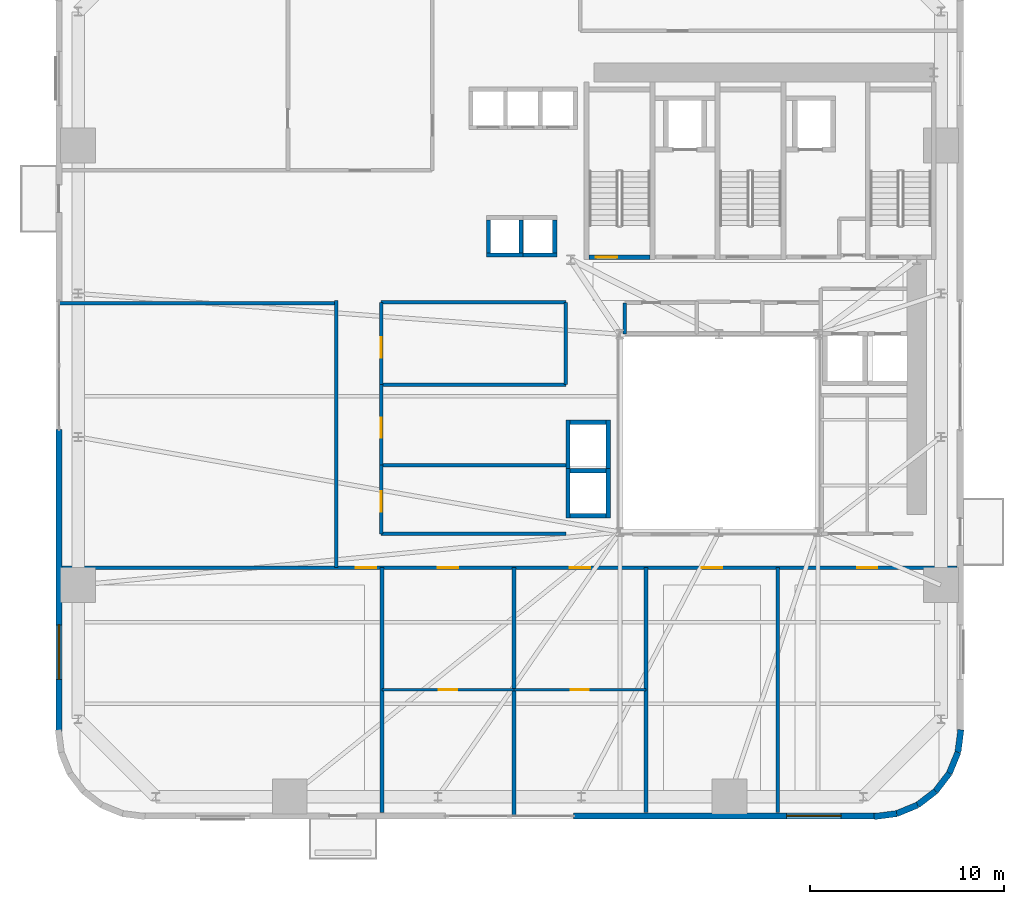
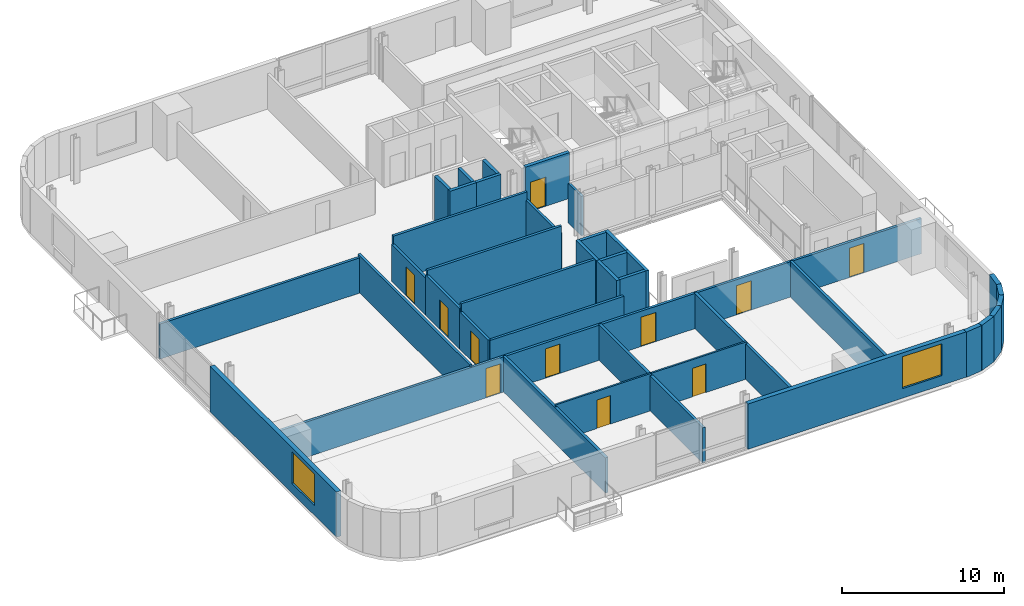
# One storey, part 6 of 11: 39 walls, 11 doors, 2 windows, 13 openings.
"""IFC4 building model written with IfcOpenShell, lengths in metres."""

import ifcopenshell
import ifcopenshell.guid

model = None  # the IFC model being written
_history = None  # IfcOwnerHistory: only IFC2X3 demands one
_inside = {}  # id of a spatial element -> (the spatial element, [elements in it])
_under = {}  # id of a project, library or spatial element -> (it, [spatial elements below it])
_declared = {}  # id of a project -> (the project, [libraries it declares])
_typed = {}  # id of a type object -> (the type object, [elements of that type])
_made_of = {}  # id of a material, layer set ... -> (it, [elements and type objects made of it])


def new_model(schema):
    """Start an empty IFC model of exactly this schema.

    Asked for "IFC4X3", IfcOpenShell would pick the latest addendum, in which some entities
    have other attributes; the version numbers below select the first issue.
    IFC2X3 requires an IfcOwnerHistory on every rooted entity: one is made here for all.
    """
    global model, _history
    if schema == "IFC4X3":
        model = ifcopenshell.file(schema_version=(4, 3, 0, 0))
    else:
        model = ifcopenshell.file(schema=schema)
    _inside.clear()
    _under.clear()
    _declared.clear()
    _typed.clear()
    _made_of.clear()
    _history = None
    if model.schema == "IFC2X3":
        org = make("IfcOrganization", Name="unknown")
        user = make(
            "IfcPersonAndOrganization",
            ThePerson=make("IfcPerson", FamilyName="unknown"),
            TheOrganization=org,
        )
        app = make(
            "IfcApplication",
            ApplicationDeveloper=org,
            Version="unknown",
            ApplicationFullName="unknown",
            ApplicationIdentifier="unknown",
        )
        _history = make(
            "IfcOwnerHistory",
            OwningUser=user,
            OwningApplication=app,
            ChangeAction="ADDED",
            CreationDate=0,
        )
    return model


def make(cls, **values):
    """One entity of the class cls with the attributes given. An attribute that is None is left unset."""
    return model.create_entity(
        cls, **{name: value for name, value in values.items() if value is not None}
    )


def rooted(cls, **values):
    """An entity with a GlobalId (a new one), such as an element, a storey or a relation."""
    return make(cls, GlobalId=ifcopenshell.guid.new(), OwnerHistory=_history, **values)


def si_unit(unit_type, name, prefix=None):
    """IfcSIUnit, for example si_unit("LENGTHUNIT", "METRE", prefix="MILLI")."""
    return make("IfcSIUnit", UnitType=unit_type, Prefix=prefix, Name=name)


def assignment(units):
    """IfcUnitAssignment: the units of a project."""
    return None if units is None else make("IfcUnitAssignment", Units=units)


def point(xyz):
    """IfcCartesianPoint."""
    return None if xyz is None else make("IfcCartesianPoint", Coordinates=xyz)


def direction(xyz):
    """IfcDirection."""
    return None if xyz is None else make("IfcDirection", DirectionRatios=xyz)


def frame(location, z_axis=None, x_axis=None):
    """IfcAxis2Placement3D, a coordinate frame: its origin and axes. An axis left out is left unset."""
    return make(
        "IfcAxis2Placement3D",
        Location=point(location),
        Axis=direction(z_axis),
        RefDirection=direction(x_axis),
    )


def frame_2d(location, x_axis=None):
    """IfcAxis2Placement2D, a coordinate frame in the plane: its origin and x axis."""
    return make(
        "IfcAxis2Placement2D", Location=point(location), RefDirection=direction(x_axis)
    )


def origin():
    """The frame at (0, 0, 0) with its axes left unset."""
    return frame((0.0, 0.0, 0.0))


def place(relative_to, where):
    """IfcLocalPlacement: puts the frame where relative to a parent placement (None: the world)."""
    return make(
        "IfcLocalPlacement", PlacementRelTo=relative_to, RelativePlacement=where
    )


def context(
    kind, dimensions, precision=None, world=None, true_north=None, identifier=None
):
    """IfcGeometricRepresentationContext, for example the 3D "Model" context."""
    return make(
        "IfcGeometricRepresentationContext",
        ContextIdentifier=identifier,
        ContextType=kind,
        CoordinateSpaceDimension=dimensions,
        Precision=precision,
        WorldCoordinateSystem=world,
        TrueNorth=true_north,
    )


def subcontext(parent, identifier, kind, view, scale=None):
    """IfcGeometricRepresentationSubContext, for example "Body" below "Model"."""
    return make(
        "IfcGeometricRepresentationSubContext",
        ContextIdentifier=identifier,
        ContextType=kind,
        ParentContext=parent,
        TargetScale=scale,
        TargetView=view,
    )


def project(units=None, contexts=None):
    """IfcProject with its units and contexts."""
    return rooted(
        "IfcProject",
        Name="project",
        RepresentationContexts=contexts,
        UnitsInContext=assignment(units),
    )


def spatial(cls, under=None, at=None, **own):
    """A site, building, storey or space (cls), placed at a placement, below another one or the project."""
    s = rooted(cls, ObjectPlacement=at, **own)
    if under is not None:
        _under.setdefault(under.id(), (under, []))[1].append(s)
    return s


def profile(cls, at=None, kind="AREA", **sizes):
    """A parametric profile (cls). Its sizes go by their IFC names, for example OverallWidth=200.0."""
    return make(cls, ProfileType=kind, Position=at, **sizes)


def rectangle(**sizes):
    """IfcRectangleProfileDef."""
    return profile("IfcRectangleProfileDef", **sizes)


def extrude(swept, where, along, depth):
    """IfcExtrudedAreaSolid: the profile swept, set in the frame where, extruded along a direction by depth."""
    return make(
        "IfcExtrudedAreaSolid",
        SweptArea=swept,
        Position=where,
        ExtrudedDirection=direction(along),
        Depth=depth,
    )


def shape(context_of_items, identifier, shape_type, items):
    """IfcShapeRepresentation: the items that make up one representation, for example the "Body"."""
    return make(
        "IfcShapeRepresentation",
        ContextOfItems=context_of_items,
        RepresentationIdentifier=identifier,
        RepresentationType=shape_type,
        Items=items,
    )


def source(mapping_origin, context_of_items, identifier, shape_type, items):
    """IfcRepresentationMap: a shape defined once, which mapped items show again and again."""
    return make(
        "IfcRepresentationMap",
        MappingOrigin=mapping_origin,
        MappedRepresentation=shape(context_of_items, identifier, shape_type, items),
    )


def transform(
    local_origin,
    x_axis=None,
    y_axis=None,
    z_axis=None,
    scale=None,
    scale2=None,
    scale3=None,
    uniform=True,
):
    """IfcCartesianTransformationOperator3D, or its non-uniform kind. x_axis, y_axis, z_axis: its Axis1, 2, 3."""
    if uniform:
        return make(
            "IfcCartesianTransformationOperator3D",
            Axis1=direction(x_axis),
            Axis2=direction(y_axis),
            LocalOrigin=point(local_origin),
            Scale=scale,
            Axis3=direction(z_axis),
        )
    return make(
        "IfcCartesianTransformationOperator3DnonUniform",
        Axis1=direction(x_axis),
        Axis2=direction(y_axis),
        LocalOrigin=point(local_origin),
        Scale=scale,
        Axis3=direction(z_axis),
        Scale2=scale2,
        Scale3=scale3,
    )


def mapped(mapping_source, mapping_target):
    """IfcMappedItem: shows the shape of a source again, moved by a transform."""
    return make(
        "IfcMappedItem", MappingSource=mapping_source, MappingTarget=mapping_target
    )


def material(Name=None, Category=None):
    """IfcMaterial."""
    return make("IfcMaterial", Name=Name, Category=Category)


def layer(
    of_material, thickness, ventilated=None, Name=None, Category=None, Priority=None
):
    """IfcMaterialLayer: one layer of a wall or slab, of a material (None: an air gap)."""
    return make(
        "IfcMaterialLayer",
        Material=of_material,
        LayerThickness=thickness,
        IsVentilated=ventilated,
        Name=Name,
        Category=Category,
        Priority=Priority,
    )


def layer_set(layers, Name=None):
    """IfcMaterialLayerSet."""
    return make("IfcMaterialLayerSet", MaterialLayers=layers, LayerSetName=Name)


def made_of(thing, what):
    """Note that an element or type object is made of a material, layer set ...; save() writes the relation."""
    if what is not None:
        _made_of.setdefault(what.id(), (what, []))[1].append(thing)
    return thing


def type_object(cls, material=None, **own):
    """A type object (cls), such as IfcWallType, which elements share."""
    return made_of(rooted(cls, **own), material)


def element(
    cls,
    number,
    at=None,
    inside=None,
    cuts=None,
    type_object=None,
    material=None,
    context=None,
    identifier="Body",
    shape_type=None,
    held_by="IfcProductDefinitionShape",
    body=None,
    shapes=None,
    **own,
):
    """One element of the class cls, such as IfcWall. Its Tag is "e" and its number.

    at: its placement. inside: the storey or other place that contains it. cuts: it is an
    opening in that element (IfcRelVoidsElement). A single representation is given by context,
    identifier, shape_type and body (its items); several are given by shapes. held_by: the class
    of the entity that holds the representations. save() writes the other relations.
    """
    e = rooted(cls, Tag="e%d" % number, ObjectPlacement=at, **own)
    if body is not None:
        shapes = [shape(context, identifier, shape_type, body)]
    if shapes is not None:
        e.Representation = make(held_by, Representations=shapes)
    if inside is not None:
        _inside.setdefault(inside.id(), (inside, []))[1].append(e)
    if cuts is not None:
        rooted(
            "IfcRelVoidsElement", RelatingBuildingElement=cuts, RelatedOpeningElement=e
        )
    if type_object is not None:
        _typed.setdefault(type_object.id(), (type_object, []))[1].append(e)
    return made_of(e, material)


def fill(opening, filler):
    """IfcRelFillsElement: the door or window that sits in an opening."""
    return rooted(
        "IfcRelFillsElement",
        RelatingOpeningElement=opening,
        RelatedBuildingElement=filler,
    )


def aggregate(whole, parts):
    """IfcRelAggregates: a whole, such as a stair, and the parts it consists of."""
    return rooted("IfcRelAggregates", RelatingObject=whole, RelatedObjects=parts)


def save(model, path):
    """Write the relations noted so far, then the file.

    IfcRelAggregates (storeys below a building ...), IfcRelContainedInSpatialStructure (elements
    in a storey), IfcRelDefinesByType, IfcRelAssociatesMaterial and IfcRelDeclares: one each for
    every whole, place, type object, material and project.
    """
    for whole, parts in _under.values():
        aggregate(whole, parts)
    for where, things in _inside.values():
        rooted(
            "IfcRelContainedInSpatialStructure",
            RelatedElements=things,
            RelatingStructure=where,
        )
    for kind, things in _typed.values():
        rooted("IfcRelDefinesByType", RelatedObjects=things, RelatingType=kind)
    for what, things in _made_of.values():
        rooted("IfcRelAssociatesMaterial", RelatedObjects=things, RelatingMaterial=what)
    for by, libraries in _declared.values():
        rooted("IfcRelDeclares", RelatingContext=by, RelatedDefinitions=libraries)
    model.write(path)


model = new_model("IFC4")

# Units and contexts
model_context = context("Model", 3, precision=1e-05, world=origin(), true_north=direction((0.0, 1.0)))
body_context = subcontext(model_context, "Body", "Model", "MODEL_VIEW")
ifc_project = project(units=[si_unit("LENGTHUNIT", "METRE"), si_unit("AREAUNIT", "SQUARE_METRE"), si_unit("VOLUMEUNIT", "CUBIC_METRE"), si_unit("PLANEANGLEUNIT", "RADIAN"), si_unit("MASSUNIT", "GRAM", prefix="KILO")], contexts=[model_context])

# Site, building, storey
site_placement = place(None, origin())
site = spatial("IfcSite", under=ifc_project, at=site_placement, CompositionType="ELEMENT")
building_placement = place(site_placement, origin())
building = spatial("IfcBuilding", under=site, at=building_placement, Name="Vardaveli Station Tower", CompositionType="ELEMENT")
storey_placement = place(building_placement, frame((0.0, 0.0, 78.699951171875)))
storey = spatial("IfcBuildingStorey", under=building, at=storey_placement, Name="L20", CompositionType="ELEMENT", Elevation=78.699951171875)

# Wall, opening, window
ifc_material_1 = material(Name="Precast concrete C45/55", Category="concrete")
ifc_layer_1 = layer(ifc_material_1, 0.320068359375, Name="Precast concrete C45/55")
ifc_layer_set_1 = layer_set([ifc_layer_1], Name="Precast concrete C45/55")
wall_type_1 = type_object("IfcWallType", Name="WAL-EXT-STONE-320", PredefinedType="SOLIDWALL", material=ifc_layer_set_1)
shared_shape_1 = source(origin(), body_context, "Body", "SweptSolid", [
    extrude(rectangle(XDim=15.599853515625, YDim=0.320068359375, at=frame_2d((7.7998046875, 0.0))), origin(), (0.0, 0.0, 1.0), 3.41015625),
])
wall_1_placement = place(storey_placement, frame((28.800048828125, 1.9599609375, 0.0), z_axis=(0.0, 0.0, 1.0), x_axis=(1.0, 0.0, 0.0)))
wall_1 = element("IfcWall", 1, at=wall_1_placement, inside=storey, type_object=wall_type_1, Name="EW-L20-S2", PredefinedType="SOLIDWALL", context=body_context, shape_type="MappedRepresentation", body=[
    mapped(shared_shape_1, transform((0.0, 0.0, 0.0), scale=1.0)),
])
shared_shape_2 = source(origin(), body_context, "Body", "SweptSolid", [
    extrude(rectangle(XDim=2.800048828125, YDim=2.39990234375, at=frame_2d((1.39990234375, 1.199951171875))), frame((0.0, 0.169921875, 0.0), z_axis=(0.0, -1.0, 0.0), x_axis=(1.0, 0.0, 0.0)), (0.0, 0.0, 1.0), 0.340087890625),
])
opening_1_placement = place(wall_1_placement, frame((10.9951171875, 0.0, 0.719970703125)))
opening_1 = element("IfcOpeningElement", 2, at=opening_1_placement, cuts=wall_1, Name="Opening W-04", PredefinedType="OPENING", context=body_context, shape_type="MappedRepresentation", body=[
    mapped(shared_shape_2, transform((0.0, 0.0, 0.0), scale=1.0)),
])
ifc_material_2 = material(Name="Low-E solar-control glass", Category="glass")
window_type = type_object("IfcWindowType", Name="WIN-SUITE-2800x2400", PartitioningType="SINGLE_PANEL", PredefinedType="WINDOW", material=ifc_material_2)
shared_shape_3 = source(origin(), body_context, "Body", "SweptSolid", [
    extrude(rectangle(XDim=2.800048828125, YDim=2.39990234375, at=frame_2d((1.39990234375, 1.199951171875))), frame((0.0, 0.030029296875, 0.0), z_axis=(0.0, -1.0, 0.0), x_axis=(1.0, 0.0, 0.0)), (0.0, 0.0, 1.0), 0.06005859375),
])
window_1_placement = place(opening_1_placement, origin())
window_1 = element("IfcWindow", 3, at=window_1_placement, inside=storey, type_object=window_type, Name="WN-L20-S2", OverallHeight=2.39990234375, OverallWidth=2.800048828125, PartitioningType="SINGLE_PANEL", PredefinedType="WINDOW", context=body_context, shape_type="MappedRepresentation", body=[
    mapped(shared_shape_3, transform((0.0, 0.0, 0.0), scale=1.0)),
])
fill(opening_1, window_1)

wall_2_placement = place(storey_placement, frame((2.260009765625, 21.89990234375, 0.0), z_axis=(0.0, 0.0, 1.0), x_axis=(0.0, -1.0, 0.0)))
wall_2 = element("IfcWall", 4, at=wall_2_placement, inside=storey, type_object=wall_type_1, Name="EW-L20-W2", PredefinedType="SOLIDWALL", context=body_context, shape_type="MappedRepresentation", body=[
    mapped(shared_shape_1, transform((0.0, 0.0, 0.0), scale=1.0)),
])
opening_2_placement = place(wall_2_placement, frame((10.094970703125, 0.0, 0.719970703125)))
opening_2 = element("IfcOpeningElement", 5, at=opening_2_placement, cuts=wall_2, Name="Opening W-04", PredefinedType="OPENING", context=body_context, shape_type="MappedRepresentation", body=[
    mapped(shared_shape_2, transform((0.0, 0.0, 0.0), scale=1.0)),
])
window_2_placement = place(opening_2_placement, origin())
window_2 = element("IfcWindow", 6, at=window_2_placement, inside=storey, type_object=window_type, Name="WN-L20-W2", OverallHeight=2.39990234375, OverallWidth=2.800048828125, PartitioningType="SINGLE_PANEL", PredefinedType="WINDOW", context=body_context, shape_type="MappedRepresentation", body=[
    mapped(shared_shape_3, transform((0.0, 0.0, 0.0), scale=1.0)),
])
fill(opening_2, window_2)

# Walls
shared_shape_4 = source(origin(), body_context, "Body", "SweptSolid", [
    extrude(rectangle(XDim=1.170654296875, YDim=0.320068359375, at=frame_2d((0.58544921875, 0.0))), origin(), (0.0, 0.0, 1.0), 3.41015625),
])
wall_3_placement = place(storey_placement, frame((48.62548828125, 5.23974609375, 0.0), z_axis=(0.0, 0.0, 1.0), x_axis=(0.128269133229, 0.991739395941, 0.0)))
element("IfcWall", 7, at=wall_3_placement, inside=storey, type_object=wall_type_1, Name="EW-L20-CR2-6", PredefinedType="SOLIDWALL", context=body_context, shape_type="MappedRepresentation", body=[
    mapped(shared_shape_4, transform((0.0, 0.0, 0.0), scale=1.0)),
])
shared_shape_5 = source(origin(), body_context, "Body", "SweptSolid", [
    extrude(rectangle(XDim=1.1689453125, YDim=0.320068359375, at=frame_2d((0.58447265625, 0.0))), origin(), (0.0, 0.0, 1.0), 3.41015625),
])
for number, where, z_axis, x_axis, name in (
    (8, (47.46875, 3.231201171875, 0.0), (0.0, 0.0, 1.0), (0.608387696831, 0.793639975269, 0.0), "EW-L20-CR2-4"),
    (9, (48.179931640625, 4.158935546875, 0.0), (0.0, 0.0, 1.0), (0.381127904695, 0.924522320046, 0.0), "EW-L20-CR2-5"),
):
    element("IfcWall", number, at=place(storey_placement, frame(where, z_axis=z_axis, x_axis=x_axis)), inside=storey, type_object=wall_type_1, Name=name, PredefinedType="SOLIDWALL", context=body_context, shape_type="MappedRepresentation", body=[
        mapped(shared_shape_5, transform((0.0, 0.0, 0.0), scale=1.0)),
    ])
shared_shape_6 = source(origin(), body_context, "Body", "SweptSolid", [
    extrude(rectangle(XDim=1.168701171875, YDim=0.320068359375, at=frame_2d((0.58447265625, 0.0))), origin(), (0.0, 0.0, 1.0), 3.41015625),
])
wall_4_placement = place(storey_placement, frame((46.541259765625, 2.520263671875, 0.0), z_axis=(0.0, 0.0, 1.0), x_axis=(0.793663520347, 0.608356981114, 0.0)))
element("IfcWall", 10, at=wall_4_placement, inside=storey, type_object=wall_type_1, Name="EW-L20-CR2-3", PredefinedType="SOLIDWALL", context=body_context, shape_type="MappedRepresentation", body=[
    mapped(shared_shape_6, transform((0.0, 0.0, 0.0), scale=1.0)),
])
shared_shape_7 = source(origin(), body_context, "Body", "SweptSolid", [
    extrude(rectangle(XDim=1.16943359375, YDim=0.320068359375, at=frame_2d((0.584716796875, 0.0))), origin(), (0.0, 0.0, 1.0), 3.41015625),
])
wall_5_placement = place(storey_placement, frame((45.460205078125, 2.074462890625, 0.0), z_axis=(0.0, 0.0, 1.0), x_axis=(0.924479075121, 0.381232789334, 0.0)))
element("IfcWall", 11, at=wall_5_placement, inside=storey, type_object=wall_type_1, Name="EW-L20-CR2-2", PredefinedType="SOLIDWALL", context=body_context, shape_type="MappedRepresentation", body=[
    mapped(shared_shape_7, transform((0.0, 0.0, 0.0), scale=1.0)),
])
shared_shape_8 = source(origin(), body_context, "Body", "SweptSolid", [
    extrude(rectangle(XDim=1.170166015625, YDim=0.320068359375, at=frame_2d((0.5849609375, 0.0))), origin(), (0.0, 0.0, 1.0), 3.41015625),
])
wall_6_placement = place(storey_placement, frame((44.299560546875, 1.924560546875, 0.0), z_axis=(0.0, 0.0, 1.0), x_axis=(0.991762485493, 0.128090485085, 0.0)))
element("IfcWall", 12, at=wall_6_placement, inside=storey, type_object=wall_type_1, Name="EW-L20-CR2-1", PredefinedType="SOLIDWALL", context=body_context, shape_type="MappedRepresentation", body=[
    mapped(shared_shape_8, transform((0.0, 0.0, 0.0), scale=1.0)),
])

# Wall, opening, door
ifc_material_3 = material(Name="Concrete C40/50", Category="concrete")
ifc_layer_2 = layer(ifc_material_3, 0.25, Name="Concrete C40/50")
ifc_layer_set_2 = layer_set([ifc_layer_2], Name="Concrete C40/50")
wall_type_2 = type_object("IfcWallType", Name="WAL-SHAFT-250", PredefinedType="SOLIDWALL", material=ifc_layer_set_2)
shared_shape_9 = source(origin(), body_context, "Body", "SweptSolid", [
    extrude(rectangle(XDim=3.14990234375, YDim=0.25, at=frame_2d((1.574951171875, 0.0))), origin(), (0.0, 0.0, 1.0), 3.449951171875),
])
wall_7_placement = place(storey_placement, frame((29.60009765625, 30.77490234375, 0.0), z_axis=(0.0, 0.0, 1.0), x_axis=(1.0, 0.0, 0.0)))
wall_7 = element("IfcWall", 13, at=wall_7_placement, inside=storey, type_object=wall_type_2, Name="W-L20-ST-1S", PredefinedType="SOLIDWALL", context=body_context, shape_type="MappedRepresentation", body=[
    mapped(shared_shape_9, transform((0.0, 0.0, 0.0), scale=1.0)),
])
shared_shape_10 = source(origin(), body_context, "Body", "SweptSolid", [
    extrude(rectangle(XDim=1.10009765625, YDim=2.199951171875, at=frame_2d((0.550048828125, 1.10009765625))), frame((0.0, 0.135009765625, 0.0), z_axis=(0.0, -1.0, 0.0), x_axis=(1.0, 0.0, 0.0)), (0.0, 0.0, 1.0), 0.27001953125),
])
opening_3_placement = place(wall_7_placement, frame((0.35009765625, 0.0, 0.0)))
opening_3 = element("IfcOpeningElement", 14, at=opening_3_placement, cuts=wall_7, Name="Opening D-04", PredefinedType="OPENING", context=body_context, shape_type="MappedRepresentation", body=[
    mapped(shared_shape_10, transform((0.0, 0.0, 0.0), scale=1.0)),
])
ifc_material_4 = material(Name="Steel smokeproof fire doorset", Category="steel")
door_type_1 = type_object("IfcDoorType", Name="DR-ST-1100x2200", OperationType="NOTDEFINED", PredefinedType="DOOR", material=ifc_material_4)
shared_shape_11 = source(origin(), body_context, "Body", "SweptSolid", [
    extrude(rectangle(XDim=1.10009765625, YDim=2.199951171875, at=frame_2d((0.550048828125, 1.10009765625))), frame((0.0, 0.02490234375, 0.0), z_axis=(0.0, -1.0, 0.0), x_axis=(1.0, 0.0, 0.0)), (0.0, 0.0, 1.0), 0.050048828125),
])
door_1_placement = place(opening_3_placement, origin())
door_1 = element("IfcDoor", 15, at=door_1_placement, inside=storey, type_object=door_type_1, Name="DST-1-L20", OperationType="SINGLE_SWING_LEFT", OverallHeight=2.199951171875, OverallWidth=1.10009765625, PredefinedType="DOOR", context=body_context, shape_type="MappedRepresentation", body=[
    mapped(shared_shape_11, transform((0.0, 0.0, 0.0), scale=1.0)),
])
fill(opening_3, door_1)

# Walls
ifc_layer_3 = layer(ifc_material_3, 0.219970703125, Name="Concrete C40/50")
ifc_layer_set_3 = layer_set([ifc_layer_3], Name="Concrete C40/50")
wall_type_3 = type_object("IfcWallType", Name="WAL-FFLOBBY-220", PredefinedType="SOLIDWALL", material=ifc_layer_set_3)
shared_shape_12 = source(origin(), body_context, "Body", "SweptSolid", [
    extrude(rectangle(XDim=1.89013671875, YDim=0.219970703125, at=frame_2d((0.945068359375, 0.0))), origin(), (0.0, 0.0, 1.0), 3.41015625),
])
for number, where, z_axis, x_axis, name in (
    (16, (24.304931640625, 30.889892578125, 0.0), (0.0, 0.0, 1.0), (1.0, 0.0, 0.0), "SHW-SHU-01-L20-S"),
    (17, (26.054931640625, 30.889892578125, 0.0), (0.0, 0.0, 1.0), (1.0, 0.0, 0.0), "SHW-SHU-02-L20-S"),
):
    element("IfcWall", number, at=place(storey_placement, frame(where, z_axis=z_axis, x_axis=x_axis)), inside=storey, type_object=wall_type_3, Name=name, PredefinedType="SOLIDWALL", context=body_context, shape_type="MappedRepresentation", body=[
        mapped(shared_shape_12, transform((0.0, 0.0, 0.0), scale=1.0)),
    ])
shared_shape_13 = source(origin(), body_context, "Body", "SweptSolid", [
    extrude(rectangle(XDim=1.699951171875, YDim=0.219970703125, at=frame_2d((0.85009765625, 0.0))), origin(), (0.0, 0.0, 1.0), 3.41015625),
])
for number, where, z_axis, x_axis, name in (
    (18, (24.4150390625, 31.0, 0.0), (0.0, 0.0, 1.0), (0.0, 1.0, 0.0), "SHW-SHU-01-L20-W"),
    (19, (26.0849609375, 31.0, 0.0), (0.0, 0.0, 1.0), (0.0, 1.0, 0.0), "SHW-SHU-01-L20-E"),
    (20, (27.8349609375, 31.0, 0.0), (0.0, 0.0, 1.0), (0.0, 1.0, 0.0), "SHW-SHU-02-L20-E"),
):
    element("IfcWall", number, at=place(storey_placement, frame(where, z_axis=z_axis, x_axis=x_axis)), inside=storey, type_object=wall_type_3, Name=name, PredefinedType="SOLIDWALL", context=body_context, shape_type="MappedRepresentation", body=[
        mapped(shared_shape_13, transform((0.0, 0.0, 0.0), scale=1.0)),
    ])
shared_shape_14 = source(origin(), body_context, "Body", "SweptSolid", [
    extrude(rectangle(XDim=1.85009765625, YDim=0.219970703125, at=frame_2d((0.925048828125, 0.0))), origin(), (0.0, 0.0, 1.0), 3.41015625),
])
for number, where, z_axis, x_axis, name in (
    (21, (28.625, 17.43994140625, 0.0), (0.0, 0.0, 1.0), (1.0, 0.0, 0.0), "SHW-OBS-01-L20-S"),
    (22, (28.625, 19.760009765625, 0.0), (0.0, 0.0, 1.0), (1.0, 0.0, 0.0), "SHW-OBS-01-L20-N"),
    (23, (28.625, 22.260009765625, 0.0), (0.0, 0.0, 1.0), (1.0, 0.0, 0.0), "SHW-OBS-02-L20-N"),
):
    element("IfcWall", number, at=place(storey_placement, frame(where, z_axis=z_axis, x_axis=x_axis)), inside=storey, type_object=wall_type_3, Name=name, PredefinedType="SOLIDWALL", context=body_context, shape_type="MappedRepresentation", body=[
        mapped(shared_shape_14, transform((0.0, 0.0, 0.0), scale=1.0)),
    ])
shared_shape_15 = source(origin(), body_context, "Body", "SweptSolid", [
    extrude(rectangle(XDim=2.5400390625, YDim=0.219970703125, at=frame_2d((1.27001953125, 0.0))), origin(), (0.0, 0.0, 1.0), 3.41015625),
])
for number, where, z_axis, x_axis, name in (
    (24, (28.514892578125, 17.330078125, 0.0), (0.0, 0.0, 1.0), (0.0, 1.0, 0.0), "SHW-OBS-01-L20-W"),
    (25, (30.5849609375, 17.330078125, 0.0), (0.0, 0.0, 1.0), (0.0, 1.0, 0.0), "SHW-OBS-01-L20-E"),
    (26, (28.514892578125, 19.830078125, 0.0), (0.0, 0.0, 1.0), (0.0, 1.0, 0.0), "SHW-OBS-02-L20-W"),
    (27, (30.5849609375, 19.830078125, 0.0), (0.0, 0.0, 1.0), (0.0, 1.0, 0.0), "SHW-OBS-02-L20-E"),
):
    element("IfcWall", number, at=place(storey_placement, frame(where, z_axis=z_axis, x_axis=x_axis)), inside=storey, type_object=wall_type_3, Name=name, PredefinedType="SOLIDWALL", context=body_context, shape_type="MappedRepresentation", body=[
        mapped(shared_shape_15, transform((0.0, 0.0, 0.0), scale=1.0)),
    ])

# Wall, openings, doors
ifc_material_5 = material(Name="Fire-rated gypsum stud partition")
ifc_layer_4 = layer(ifc_material_5, 0.179931640625, Name="Fire-rated gypsum stud partition")
ifc_layer_set_4 = layer_set([ifc_layer_4], Name="Fire-rated gypsum stud partition")
wall_type_4 = type_object("IfcWallType", Name="WAL-CORR-180", PredefinedType="PARTITIONING", material=ifc_layer_set_4)
shared_shape_16 = source(origin(), body_context, "Body", "SweptSolid", [
    extrude(rectangle(XDim=46.15576171875, YDim=0.179931640625, at=frame_2d((23.077880859375, 0.0))), origin(), (0.0, 0.0, 1.0), 2.652099609375),
])
wall_8_placement = place(storey_placement, frame((2.422119140625, 14.760009765625, 0.0), z_axis=(0.0, 0.0, 1.0), x_axis=(1.0, 0.0, 0.0)))
wall_8 = element("IfcWall", 28, at=wall_8_placement, inside=storey, type_object=wall_type_4, Name="W-L20-CS", PredefinedType="PARTITIONING", context=body_context, shape_type="MappedRepresentation", body=[
    mapped(shared_shape_16, transform((0.0, 0.0, 0.0), scale=1.0)),
])
shared_shape_17 = source(origin(), body_context, "Body", "SweptSolid", [
    extrude(rectangle(XDim=1.050048828125, YDim=2.199951171875, at=frame_2d((0.52490234375, 1.10009765625))), frame((0.0, 0.10009765625, 0.0), z_axis=(0.0, -1.0, 0.0), x_axis=(1.0, 0.0, 0.0)), (0.0, 0.0, 1.0), 0.199951171875),
])
opening_4_placement = place(wall_8_placement, frame((15.14794921875, 0.0, 0.0)))
opening_4 = element("IfcOpeningElement", 29, at=opening_4_placement, cuts=wall_8, Name="Opening D-05", PredefinedType="OPENING", context=body_context, shape_type="MappedRepresentation", body=[
    mapped(shared_shape_17, transform((0.0, 0.0, 0.0), scale=1.0)),
])
opening_5_placement = place(wall_8_placement, frame((19.379638671875, 0.0, 0.0)))
opening_5 = element("IfcOpeningElement", 30, at=opening_5_placement, cuts=wall_8, Name="Opening D-05", PredefinedType="OPENING", context=body_context, shape_type="MappedRepresentation", body=[
    mapped(shared_shape_17, transform((0.0, 0.0, 0.0), scale=1.0)),
])
opening_6_placement = place(wall_8_placement, frame((26.18310546875, 0.0, 0.0)))
opening_6 = element("IfcOpeningElement", 31, at=opening_6_placement, cuts=wall_8, Name="Opening D-05", PredefinedType="OPENING", context=body_context, shape_type="MappedRepresentation", body=[
    mapped(shared_shape_17, transform((0.0, 0.0, 0.0), scale=1.0)),
])
opening_7_placement = place(wall_8_placement, frame((32.986328125, 0.0, 0.0)))
opening_7 = element("IfcOpeningElement", 32, at=opening_7_placement, cuts=wall_8, Name="Opening D-05", PredefinedType="OPENING", context=body_context, shape_type="MappedRepresentation", body=[
    mapped(shared_shape_17, transform((0.0, 0.0, 0.0), scale=1.0)),
])
opening_8_placement = place(wall_8_placement, frame((40.998046875, 0.0, 0.0)))
opening_8 = element("IfcOpeningElement", 33, at=opening_8_placement, cuts=wall_8, Name="Opening D-05", PredefinedType="OPENING", context=body_context, shape_type="MappedRepresentation", body=[
    mapped(shared_shape_17, transform((0.0, 0.0, 0.0), scale=1.0)),
])
ifc_material_6 = material(Name="Walnut veneer acoustic fire door")
door_type_2 = type_object("IfcDoorType", Name="DR-SUITE-1050x2200", OperationType="NOTDEFINED", PredefinedType="DOOR", material=ifc_material_6)
shared_shape_18 = source(origin(), body_context, "Body", "SweptSolid", [
    extrude(rectangle(XDim=1.050048828125, YDim=2.199951171875, at=frame_2d((0.52490234375, 1.10009765625))), frame((0.0, 0.02490234375, 0.0), z_axis=(0.0, -1.0, 0.0), x_axis=(1.0, 0.0, 0.0)), (0.0, 0.0, 1.0), 0.050048828125),
])
door_2_placement = place(opening_4_placement, origin())
door_2 = element("IfcDoor", 34, at=door_2_placement, inside=storey, type_object=door_type_2, Name="D-L20-SA1", OperationType="SINGLE_SWING_LEFT", OverallHeight=2.199951171875, OverallWidth=1.050048828125, PredefinedType="DOOR", context=body_context, shape_type="MappedRepresentation", body=[
    mapped(shared_shape_18, transform((0.0, 0.0, 0.0), scale=1.0)),
])
fill(opening_4, door_2)
door_3_placement = place(opening_5_placement, origin())
door_3 = element("IfcDoor", 35, at=door_3_placement, inside=storey, type_object=door_type_2, Name="D-L20-SCB2", OperationType="SINGLE_SWING_RIGHT", OverallHeight=2.199951171875, OverallWidth=1.050048828125, PredefinedType="DOOR", context=body_context, shape_type="MappedRepresentation", body=[
    mapped(shared_shape_18, transform((0.0, 0.0, 0.0), scale=1.0)),
])
fill(opening_5, door_3)
door_4_placement = place(opening_6_placement, origin())
door_4 = element("IfcDoor", 36, at=door_4_placement, inside=storey, type_object=door_type_2, Name="D-L20-SCB3", OperationType="SINGLE_SWING_LEFT", OverallHeight=2.199951171875, OverallWidth=1.050048828125, PredefinedType="DOOR", context=body_context, shape_type="MappedRepresentation", body=[
    mapped(shared_shape_18, transform((0.0, 0.0, 0.0), scale=1.0)),
])
fill(opening_6, door_4)
door_5_placement = place(opening_7_placement, origin())
door_5 = element("IfcDoor", 37, at=door_5_placement, inside=storey, type_object=door_type_2, Name="D-L20-SA4", OperationType="SINGLE_SWING_RIGHT", OverallHeight=2.199951171875, OverallWidth=1.050048828125, PredefinedType="DOOR", context=body_context, shape_type="MappedRepresentation", body=[
    mapped(shared_shape_18, transform((0.0, 0.0, 0.0), scale=1.0)),
])
fill(opening_7, door_5)
door_6_placement = place(opening_8_placement, origin())
door_6 = element("IfcDoor", 38, at=door_6_placement, inside=storey, type_object=door_type_2, Name="D-L20-SA5", OperationType="SINGLE_SWING_LEFT", OverallHeight=2.199951171875, OverallWidth=1.050048828125, PredefinedType="DOOR", context=body_context, shape_type="MappedRepresentation", body=[
    mapped(shared_shape_18, transform((0.0, 0.0, 0.0), scale=1.0)),
])
fill(opening_8, door_6)

# Wall, opening, door
shared_shape_19 = source(origin(), body_context, "Body", "SweptSolid", [
    extrude(rectangle(XDim=4.239990234375, YDim=0.179931640625, at=frame_2d((2.1201171875, 0.0))), origin(), (0.0, 0.0, 1.0), 2.802001953125),
])
wall_9_placement = place(storey_placement, frame((18.8701171875, 24.199951171875, 0.0), z_axis=(0.0, 0.0, 1.0), x_axis=(0.0, 1.0, 0.0)))
wall_9 = element("IfcWall", 39, at=wall_9_placement, inside=storey, type_object=wall_type_4, Name="W-L20-ATWC-W", PredefinedType="PARTITIONING", context=body_context, shape_type="MappedRepresentation", body=[
    mapped(shared_shape_19, transform((0.0, 0.0, 0.0), scale=1.0)),
])
opening_9_placement = place(wall_9_placement, frame((1.39990234375, 0.0, 0.0)))
opening_9 = element("IfcOpeningElement", 40, at=opening_9_placement, cuts=wall_9, Name="Opening D-05", PredefinedType="OPENING", context=body_context, shape_type="MappedRepresentation", body=[
    mapped(shared_shape_17, transform((0.0, 0.0, 0.0), scale=1.0)),
])
door_7_placement = place(opening_9_placement, origin())
door_7 = element("IfcDoor", 41, at=door_7_placement, inside=storey, type_object=door_type_2, Name="D-L20-ATW3", OperationType="SINGLE_SWING_LEFT", OverallHeight=2.199951171875, OverallWidth=1.050048828125, PredefinedType="DOOR", context=body_context, shape_type="MappedRepresentation", body=[
    mapped(shared_shape_18, transform((0.0, 0.0, 0.0), scale=1.0)),
])
fill(opening_9, door_7)

# Wall
wall_10_placement = place(storey_placement, frame((28.39990234375, 24.199951171875, 0.0), z_axis=(0.0, 0.0, 1.0), x_axis=(0.0, 1.0, 0.0)))
element("IfcWall", 42, at=wall_10_placement, inside=storey, type_object=wall_type_4, Name="W-L20-ATWC-E", PredefinedType="PARTITIONING", context=body_context, shape_type="MappedRepresentation", body=[
    mapped(shared_shape_19, transform((0.0, 0.0, 0.0), scale=1.0)),
])

# Wall, opening, door
shared_shape_20 = source(origin(), body_context, "Body", "SweptSolid", [
    extrude(rectangle(XDim=4.14990234375, YDim=0.179931640625, at=frame_2d((2.074951171875, 0.0))), origin(), (0.0, 0.0, 1.0), 3.0419921875),
])
wall_11_placement = place(storey_placement, frame((18.8701171875, 20.050048828125, 0.0), z_axis=(0.0, 0.0, 1.0), x_axis=(0.0, 1.0, 0.0)))
wall_11 = element("IfcWall", 43, at=wall_11_placement, inside=storey, type_object=wall_type_4, Name="W-L20-ATWB-W", PredefinedType="PARTITIONING", context=body_context, shape_type="MappedRepresentation", body=[
    mapped(shared_shape_20, transform((0.0, 0.0, 0.0), scale=1.0)),
])
opening_10_placement = place(wall_11_placement, frame((1.39990234375, 0.0, 0.0)))
opening_10 = element("IfcOpeningElement", 44, at=opening_10_placement, cuts=wall_11, Name="Opening D-05", PredefinedType="OPENING", context=body_context, shape_type="MappedRepresentation", body=[
    mapped(shared_shape_17, transform((0.0, 0.0, 0.0), scale=1.0)),
])
door_8_placement = place(opening_10_placement, origin())
door_8 = element("IfcDoor", 45, at=door_8_placement, inside=storey, type_object=door_type_2, Name="D-L20-ATW2", OperationType="SINGLE_SWING_RIGHT", OverallHeight=2.199951171875, OverallWidth=1.050048828125, PredefinedType="DOOR", context=body_context, shape_type="MappedRepresentation", body=[
    mapped(shared_shape_18, transform((0.0, 0.0, 0.0), scale=1.0)),
])
fill(opening_10, door_8)

shared_shape_21 = source(origin(), body_context, "Body", "SweptSolid", [
    extrude(rectangle(XDim=3.550048828125, YDim=0.179931640625, at=frame_2d((1.77490234375, 0.0))), origin(), (0.0, 0.0, 1.0), 2.802001953125),
])
wall_12_placement = place(storey_placement, frame((18.8701171875, 16.5, 0.0), z_axis=(0.0, 0.0, 1.0), x_axis=(0.0, 1.0, 0.0)))
wall_12 = element("IfcWall", 46, at=wall_12_placement, inside=storey, type_object=wall_type_4, Name="W-L20-ATWA-W", PredefinedType="PARTITIONING", context=body_context, shape_type="MappedRepresentation", body=[
    mapped(shared_shape_21, transform((0.0, 0.0, 0.0), scale=1.0)),
])
opening_11_placement = place(wall_12_placement, frame((1.14990234375, 0.0, 0.0)))
opening_11 = element("IfcOpeningElement", 47, at=opening_11_placement, cuts=wall_12, Name="Opening D-05", PredefinedType="OPENING", context=body_context, shape_type="MappedRepresentation", body=[
    mapped(shared_shape_17, transform((0.0, 0.0, 0.0), scale=1.0)),
])
door_9_placement = place(opening_11_placement, origin())
door_9 = element("IfcDoor", 48, at=door_9_placement, inside=storey, type_object=door_type_2, Name="D-L20-ATW1", OperationType="SINGLE_SWING_RIGHT", OverallHeight=2.199951171875, OverallWidth=1.050048828125, PredefinedType="DOOR", context=body_context, shape_type="MappedRepresentation", body=[
    mapped(shared_shape_18, transform((0.0, 0.0, 0.0), scale=1.0)),
])
fill(opening_11, door_9)

# Walls
shared_shape_22 = source(origin(), body_context, "Body", "SweptSolid", [
    extrude(rectangle(XDim=1.599853515625, YDim=0.179931640625, at=frame_2d((0.7998046875, 0.0))), origin(), (0.0, 0.0, 1.0), 2.9521484375),
])
wall_13_placement = place(storey_placement, frame((31.449951171875, 26.820068359375, 0.0), z_axis=(0.0, 0.0, 1.0), x_axis=(0.0, 1.0, 0.0)))
element("IfcWall", 49, at=wall_13_placement, inside=storey, type_object=wall_type_4, Name="W-L20-CS2A-W", PredefinedType="PARTITIONING", context=body_context, shape_type="MappedRepresentation", body=[
    mapped(shared_shape_22, transform((0.0, 0.0, 0.0), scale=1.0)),
])
shared_shape_23 = source(origin(), body_context, "Body", "SweptSolid", [
    extrude(rectangle(XDim=13.7900390625, YDim=0.179931640625, at=frame_2d((6.89501953125, 0.0))), origin(), (0.0, 0.0, 1.0), 2.802001953125),
])
wall_14_placement = place(storey_placement, frame((16.550048828125, 14.760009765625, 0.0), z_axis=(0.0, 0.0, 1.0), x_axis=(0.0, 1.0, 0.0)))
element("IfcWall", 50, at=wall_14_placement, inside=storey, type_object=wall_type_4, Name="W-L20-CW", PredefinedType="PARTITIONING", context=body_context, shape_type="MappedRepresentation", body=[
    mapped(shared_shape_23, transform((0.0, 0.0, 0.0), scale=1.0)),
])
ifc_material_7 = material(Name="Acoustic twin-stud gypsum partition")
ifc_layer_5 = layer(ifc_material_7, 0.199951171875, Name="Acoustic twin-stud gypsum partition")
ifc_layer_set_5 = layer_set([ifc_layer_5], Name="Acoustic twin-stud gypsum partition")
wall_type_5 = type_object("IfcWallType", Name="WAL-PARTY-200", PredefinedType="PARTITIONING", material=ifc_layer_set_5)
shared_shape_24 = source(origin(), body_context, "Body", "SweptSolid", [
    extrude(rectangle(XDim=12.637939453125, YDim=0.199951171875, at=frame_2d((6.31884765625, 0.0))), origin(), (0.0, 0.0, 1.0), 2.652099609375),
])
for number, where, z_axis, x_axis, name in (
    (51, (18.919921875, 2.1220703125, 0.0), (0.0, 0.0, 1.0), (0.0, 1.0, 0.0), "W-L20-PS1"),
    (52, (32.527099609375, 2.1220703125, 0.0), (0.0, 0.0, 1.0), (0.0, 1.0, 0.0), "W-L20-PS3"),
    (53, (39.330078125, 2.1220703125, 0.0), (0.0, 0.0, 1.0), (0.0, 1.0, 0.0), "W-L20-PS4"),
):
    element("IfcWall", number, at=place(storey_placement, frame(where, z_axis=z_axis, x_axis=x_axis)), inside=storey, type_object=wall_type_5, Name=name, PredefinedType="PARTITIONING", context=body_context, shape_type="MappedRepresentation", body=[
        mapped(shared_shape_24, transform((0.0, 0.0, 0.0), scale=1.0)),
    ])
shared_shape_25 = source(origin(), body_context, "Body", "SweptSolid", [
    extrude(rectangle(XDim=12.830078125, YDim=0.199951171875, at=frame_2d((6.4150390625, 0.0))), origin(), (0.0, 0.0, 1.0), 2.652099609375),
])
wall_15_placement = place(storey_placement, frame((25.722900390625, 1.929931640625, 0.0), z_axis=(0.0, 0.0, 1.0), x_axis=(0.0, 1.0, 0.0)))
element("IfcWall", 54, at=wall_15_placement, inside=storey, type_object=wall_type_5, Name="W-L20-PS2", PredefinedType="PARTITIONING", context=body_context, shape_type="MappedRepresentation", body=[
    mapped(shared_shape_25, transform((0.0, 0.0, 0.0), scale=1.0)),
])

# Wall, opening, door
ifc_material_8 = material(Name="Gypsum board stud partition")
ifc_layer_6 = layer(ifc_material_8, 0.125, Name="Gypsum board stud partition")
ifc_layer_set_6 = layer_set([ifc_layer_6], Name="Gypsum board stud partition")
wall_type_6 = type_object("IfcWallType", Name="WAL-INT-125", PredefinedType="PARTITIONING", material=ifc_layer_set_6)
shared_shape_26 = source(origin(), body_context, "Body", "SweptSolid", [
    extrude(rectangle(XDim=6.80419921875, YDim=0.125, at=frame_2d((3.402099609375, 0.0))), origin(), (0.0, 0.0, 1.0), 2.802001953125),
])
wall_16_placement = place(storey_placement, frame((25.722900390625, 8.455078125, 0.0), z_axis=(0.0, 0.0, 1.0), x_axis=(1.0, 0.0, 0.0)))
wall_16 = element("IfcWall", 55, at=wall_16_placement, inside=storey, type_object=wall_type_6, Name="W-L20-SCM3", PredefinedType="PARTITIONING", context=body_context, shape_type="MappedRepresentation", body=[
    mapped(shared_shape_26, transform((0.0, 0.0, 0.0), scale=1.0)),
])
shared_shape_27 = source(origin(), body_context, "Body", "SweptSolid", [
    extrude(rectangle(XDim=0.949951171875, YDim=2.14990234375, at=frame_2d((0.47509765625, 1.074951171875))), frame((0.0, 0.072509765625, 0.0), z_axis=(0.0, -1.0, 0.0), x_axis=(1.0, 0.0, 0.0)), (0.0, 0.0, 1.0), 0.14501953125),
])
opening_12_placement = place(wall_16_placement, frame((2.921630859375, 0.0, 0.0)))
opening_12 = element("IfcOpeningElement", 56, at=opening_12_placement, cuts=wall_16, Name="Opening D-11", PredefinedType="OPENING", context=body_context, shape_type="MappedRepresentation", body=[
    mapped(shared_shape_27, transform((0.0, 0.0, 0.0), scale=1.0)),
])
ifc_material_9 = material(Name="Oak veneer internal suite door")
door_type_3 = type_object("IfcDoorType", Name="DR-INT-950x2150", OperationType="NOTDEFINED", PredefinedType="DOOR", material=ifc_material_9)
shared_shape_28 = source(origin(), body_context, "Body", "SweptSolid", [
    extrude(rectangle(XDim=0.949951171875, YDim=2.14990234375, at=frame_2d((0.47509765625, 1.074951171875))), frame((0.0, 0.02490234375, 0.0), z_axis=(0.0, -1.0, 0.0), x_axis=(1.0, 0.0, 0.0)), (0.0, 0.0, 1.0), 0.050048828125),
])
door_10_placement = place(opening_12_placement, origin())
door_10 = element("IfcDoor", 57, at=door_10_placement, inside=storey, type_object=door_type_3, Name="D-L20-SCF3", OperationType="SINGLE_SWING_RIGHT", OverallHeight=2.14990234375, OverallWidth=0.949951171875, PredefinedType="DOOR", context=body_context, shape_type="MappedRepresentation", body=[
    mapped(shared_shape_28, transform((0.0, 0.0, 0.0), scale=1.0)),
])
fill(opening_12, door_10)

shared_shape_29 = source(origin(), body_context, "Body", "SweptSolid", [
    extrude(rectangle(XDim=6.802978515625, YDim=0.125, at=frame_2d((3.4013671875, 0.0))), origin(), (0.0, 0.0, 1.0), 2.802001953125),
])
wall_17_placement = place(storey_placement, frame((18.919921875, 8.455078125, 0.0), z_axis=(0.0, 0.0, 1.0), x_axis=(1.0, 0.0, 0.0)))
wall_17 = element("IfcWall", 58, at=wall_17_placement, inside=storey, type_object=wall_type_6, Name="W-L20-SCM2", PredefinedType="PARTITIONING", context=body_context, shape_type="MappedRepresentation", body=[
    mapped(shared_shape_29, transform((0.0, 0.0, 0.0), scale=1.0)),
])
opening_13_placement = place(wall_17_placement, frame((2.921630859375, 0.0, 0.0)))
opening_13 = element("IfcOpeningElement", 59, at=opening_13_placement, cuts=wall_17, Name="Opening D-11", PredefinedType="OPENING", context=body_context, shape_type="MappedRepresentation", body=[
    mapped(shared_shape_27, transform((0.0, 0.0, 0.0), scale=1.0)),
])
door_11_placement = place(opening_13_placement, origin())
door_11 = element("IfcDoor", 60, at=door_11_placement, inside=storey, type_object=door_type_3, Name="D-L20-SCF2", OperationType="SINGLE_SWING_LEFT", OverallHeight=2.14990234375, OverallWidth=0.949951171875, PredefinedType="DOOR", context=body_context, shape_type="MappedRepresentation", body=[
    mapped(shared_shape_28, transform((0.0, 0.0, 0.0), scale=1.0)),
])
fill(opening_13, door_11)

# Walls
shared_shape_30 = source(origin(), body_context, "Body", "SweptSolid", [
    extrude(rectangle(XDim=9.52978515625, YDim=0.179931640625, at=frame_2d((4.764892578125, 0.0))), origin(), (0.0, 0.0, 1.0), 2.802001953125),
])
wall_18_placement = place(storey_placement, frame((18.8701171875, 16.5, 0.0), z_axis=(0.0, 0.0, 1.0), x_axis=(1.0, 0.0, 0.0)))
element("IfcWall", 61, at=wall_18_placement, inside=storey, type_object=wall_type_4, Name="W-L20-ATWA-S", PredefinedType="PARTITIONING", context=body_context, shape_type="MappedRepresentation", body=[
    mapped(shared_shape_30, transform((0.0, 0.0, 0.0), scale=1.0)),
])
shared_shape_31 = source(origin(), body_context, "Body", "SweptSolid", [
    extrude(rectangle(XDim=14.320068359375, YDim=0.179931640625, at=frame_2d((7.16015625, 0.0))), origin(), (0.0, 0.0, 1.0), 2.652099609375),
])
wall_19_placement = place(storey_placement, frame((2.22998046875, 28.39990234375, 0.0), z_axis=(0.0, 0.0, 1.0), x_axis=(1.0, 0.0, 0.0)))
element("IfcWall", 62, at=wall_19_placement, inside=storey, type_object=wall_type_4, Name="W-L20-CWN", PredefinedType="PARTITIONING", context=body_context, shape_type="MappedRepresentation", body=[
    mapped(shared_shape_31, transform((0.0, 0.0, 0.0), scale=1.0)),
])
shared_shape_32 = source(origin(), body_context, "Body", "SweptSolid", [
    extrude(rectangle(XDim=9.52978515625, YDim=0.179931640625, at=frame_2d((4.764892578125, 0.0))), origin(), (0.0, 0.0, 1.0), 3.41015625),
])
for number, where, z_axis, x_axis, name in (
    (63, (18.8701171875, 20.050048828125, 0.0), (0.0, 0.0, 1.0), (1.0, 0.0, 0.0), "W-L20-ATWA-N"),
    (64, (18.8701171875, 24.199951171875, 0.0), (0.0, 0.0, 1.0), (1.0, 0.0, 0.0), "W-L20-ATWB-N"),
    (65, (18.8701171875, 28.43994140625, 0.0), (0.0, 0.0, 1.0), (1.0, 0.0, 0.0), "W-L20-ATWC-N"),
):
    element("IfcWall", number, at=place(storey_placement, frame(where, z_axis=z_axis, x_axis=x_axis)), inside=storey, type_object=wall_type_4, Name=name, PredefinedType="PARTITIONING", context=body_context, shape_type="MappedRepresentation", body=[
        mapped(shared_shape_32, transform((0.0, 0.0, 0.0), scale=1.0)),
    ])

save(model, "model.ifc")
